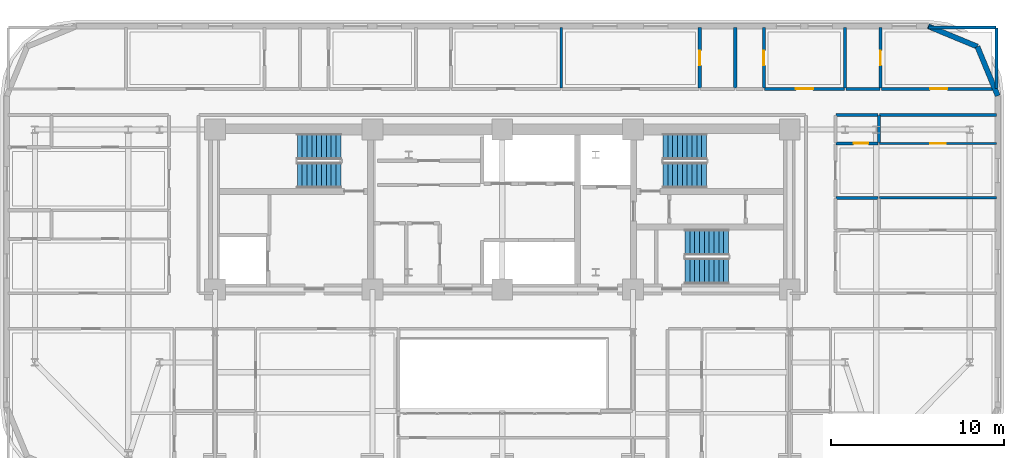
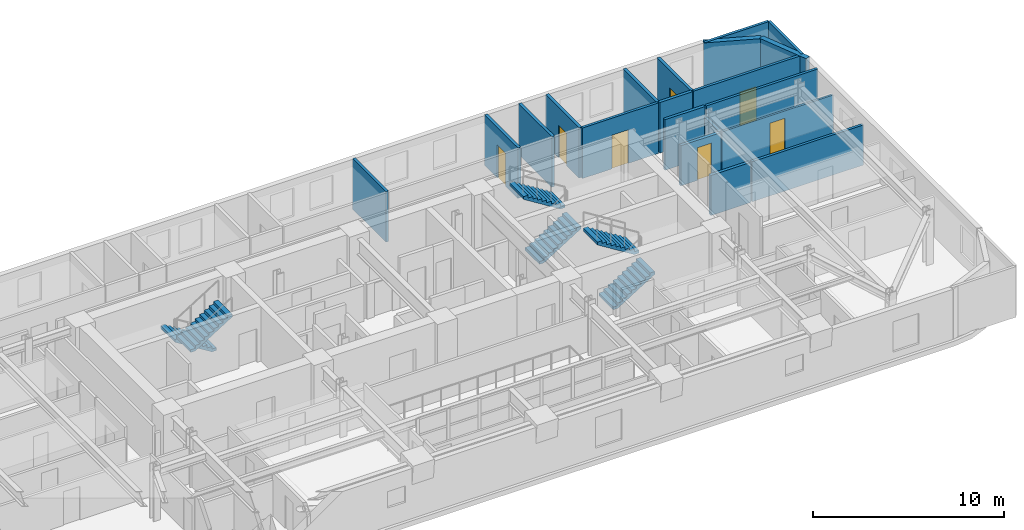
# One storey, part 13 of 16: 20 walls, 7 doors, 6 stair flights, 7 openings, 3 elements without a shape of their own.
"""IFC4 building model written with IfcOpenShell, lengths in metres."""

import ifcopenshell
import ifcopenshell.guid

model = None  # the IFC model being written
_history = None  # IfcOwnerHistory: only IFC2X3 demands one
_inside = {}  # id of a spatial element -> (the spatial element, [elements in it])
_under = {}  # id of a project, library or spatial element -> (it, [spatial elements below it])
_declared = {}  # id of a project -> (the project, [libraries it declares])
_typed = {}  # id of a type object -> (the type object, [elements of that type])
_made_of = {}  # id of a material, layer set ... -> (it, [elements and type objects made of it])


def new_model(schema):
    """Start an empty IFC model of exactly this schema.

    Asked for "IFC4X3", IfcOpenShell would pick the latest addendum, in which some entities
    have other attributes; the version numbers below select the first issue.
    IFC2X3 requires an IfcOwnerHistory on every rooted entity: one is made here for all.
    """
    global model, _history
    if schema == "IFC4X3":
        model = ifcopenshell.file(schema_version=(4, 3, 0, 0))
    else:
        model = ifcopenshell.file(schema=schema)
    _inside.clear()
    _under.clear()
    _declared.clear()
    _typed.clear()
    _made_of.clear()
    _history = None
    if model.schema == "IFC2X3":
        org = make("IfcOrganization", Name="unknown")
        user = make(
            "IfcPersonAndOrganization",
            ThePerson=make("IfcPerson", FamilyName="unknown"),
            TheOrganization=org,
        )
        app = make(
            "IfcApplication",
            ApplicationDeveloper=org,
            Version="unknown",
            ApplicationFullName="unknown",
            ApplicationIdentifier="unknown",
        )
        _history = make(
            "IfcOwnerHistory",
            OwningUser=user,
            OwningApplication=app,
            ChangeAction="ADDED",
            CreationDate=0,
        )
    return model


def make(cls, **values):
    """One entity of the class cls with the attributes given. An attribute that is None is left unset."""
    return model.create_entity(
        cls, **{name: value for name, value in values.items() if value is not None}
    )


def rooted(cls, **values):
    """An entity with a GlobalId (a new one), such as an element, a storey or a relation."""
    return make(cls, GlobalId=ifcopenshell.guid.new(), OwnerHistory=_history, **values)


def si_unit(unit_type, name, prefix=None):
    """IfcSIUnit, for example si_unit("LENGTHUNIT", "METRE", prefix="MILLI")."""
    return make("IfcSIUnit", UnitType=unit_type, Prefix=prefix, Name=name)


def assignment(units):
    """IfcUnitAssignment: the units of a project."""
    return None if units is None else make("IfcUnitAssignment", Units=units)


def point(xyz):
    """IfcCartesianPoint."""
    return None if xyz is None else make("IfcCartesianPoint", Coordinates=xyz)


def direction(xyz):
    """IfcDirection."""
    return None if xyz is None else make("IfcDirection", DirectionRatios=xyz)


def frame(location, z_axis=None, x_axis=None):
    """IfcAxis2Placement3D, a coordinate frame: its origin and axes. An axis left out is left unset."""
    return make(
        "IfcAxis2Placement3D",
        Location=point(location),
        Axis=direction(z_axis),
        RefDirection=direction(x_axis),
    )


def frame_2d(location, x_axis=None):
    """IfcAxis2Placement2D, a coordinate frame in the plane: its origin and x axis."""
    return make(
        "IfcAxis2Placement2D", Location=point(location), RefDirection=direction(x_axis)
    )


def origin():
    """The frame at (0, 0, 0) with its axes left unset."""
    return frame((0.0, 0.0, 0.0))


def place(relative_to, where):
    """IfcLocalPlacement: puts the frame where relative to a parent placement (None: the world)."""
    return make(
        "IfcLocalPlacement", PlacementRelTo=relative_to, RelativePlacement=where
    )


def context(
    kind, dimensions, precision=None, world=None, true_north=None, identifier=None
):
    """IfcGeometricRepresentationContext, for example the 3D "Model" context."""
    return make(
        "IfcGeometricRepresentationContext",
        ContextIdentifier=identifier,
        ContextType=kind,
        CoordinateSpaceDimension=dimensions,
        Precision=precision,
        WorldCoordinateSystem=world,
        TrueNorth=true_north,
    )


def subcontext(parent, identifier, kind, view, scale=None):
    """IfcGeometricRepresentationSubContext, for example "Body" below "Model"."""
    return make(
        "IfcGeometricRepresentationSubContext",
        ContextIdentifier=identifier,
        ContextType=kind,
        ParentContext=parent,
        TargetScale=scale,
        TargetView=view,
    )


def project(units=None, contexts=None):
    """IfcProject with its units and contexts."""
    return rooted(
        "IfcProject",
        Name="project",
        RepresentationContexts=contexts,
        UnitsInContext=assignment(units),
    )


def spatial(cls, under=None, at=None, **own):
    """A site, building, storey or space (cls), placed at a placement, below another one or the project."""
    s = rooted(cls, ObjectPlacement=at, **own)
    if under is not None:
        _under.setdefault(under.id(), (under, []))[1].append(s)
    return s


def polyline(points):
    """IfcPolyline through the points."""
    return make("IfcPolyline", Points=[point(p) for p in points])


def profile(cls, at=None, kind="AREA", **sizes):
    """A parametric profile (cls). Its sizes go by their IFC names, for example OverallWidth=200.0."""
    return make(cls, ProfileType=kind, Position=at, **sizes)


def rectangle(**sizes):
    """IfcRectangleProfileDef."""
    return profile("IfcRectangleProfileDef", **sizes)


def outline(outer, holes=None, kind="AREA"):
    """IfcArbitraryClosedProfileDef: a profile drawn as a closed curve; with holes, ...WithVoids."""
    if holes is None:
        return make("IfcArbitraryClosedProfileDef", ProfileType=kind, OuterCurve=outer)
    return make(
        "IfcArbitraryProfileDefWithVoids",
        ProfileType=kind,
        OuterCurve=outer,
        InnerCurves=holes,
    )


def extrude(swept, where, along, depth):
    """IfcExtrudedAreaSolid: the profile swept, set in the frame where, extruded along a direction by depth."""
    return make(
        "IfcExtrudedAreaSolid",
        SweptArea=swept,
        Position=where,
        ExtrudedDirection=direction(along),
        Depth=depth,
    )


def shape(context_of_items, identifier, shape_type, items):
    """IfcShapeRepresentation: the items that make up one representation, for example the "Body"."""
    return make(
        "IfcShapeRepresentation",
        ContextOfItems=context_of_items,
        RepresentationIdentifier=identifier,
        RepresentationType=shape_type,
        Items=items,
    )


def material(Name=None, Category=None):
    """IfcMaterial."""
    return make("IfcMaterial", Name=Name, Category=Category)


def layer(
    of_material, thickness, ventilated=None, Name=None, Category=None, Priority=None
):
    """IfcMaterialLayer: one layer of a wall or slab, of a material (None: an air gap)."""
    return make(
        "IfcMaterialLayer",
        Material=of_material,
        LayerThickness=thickness,
        IsVentilated=ventilated,
        Name=Name,
        Category=Category,
        Priority=Priority,
    )


def layer_set(layers, Name=None):
    """IfcMaterialLayerSet."""
    return make("IfcMaterialLayerSet", MaterialLayers=layers, LayerSetName=Name)


def made_of(thing, what):
    """Note that an element or type object is made of a material, layer set ...; save() writes the relation."""
    if what is not None:
        _made_of.setdefault(what.id(), (what, []))[1].append(thing)
    return thing


def type_object(cls, material=None, **own):
    """A type object (cls), such as IfcWallType, which elements share."""
    return made_of(rooted(cls, **own), material)


def element(
    cls,
    number,
    at=None,
    inside=None,
    cuts=None,
    type_object=None,
    material=None,
    context=None,
    identifier="Body",
    shape_type=None,
    held_by="IfcProductDefinitionShape",
    body=None,
    shapes=None,
    **own,
):
    """One element of the class cls, such as IfcWall. Its Tag is "e" and its number.

    at: its placement. inside: the storey or other place that contains it. cuts: it is an
    opening in that element (IfcRelVoidsElement). A single representation is given by context,
    identifier, shape_type and body (its items); several are given by shapes. held_by: the class
    of the entity that holds the representations. save() writes the other relations.
    """
    e = rooted(cls, Tag="e%d" % number, ObjectPlacement=at, **own)
    if body is not None:
        shapes = [shape(context, identifier, shape_type, body)]
    if shapes is not None:
        e.Representation = make(held_by, Representations=shapes)
    if inside is not None:
        _inside.setdefault(inside.id(), (inside, []))[1].append(e)
    if cuts is not None:
        rooted(
            "IfcRelVoidsElement", RelatingBuildingElement=cuts, RelatedOpeningElement=e
        )
    if type_object is not None:
        _typed.setdefault(type_object.id(), (type_object, []))[1].append(e)
    return made_of(e, material)


def fill(opening, filler):
    """IfcRelFillsElement: the door or window that sits in an opening."""
    return rooted(
        "IfcRelFillsElement",
        RelatingOpeningElement=opening,
        RelatedBuildingElement=filler,
    )


def aggregate(whole, parts):
    """IfcRelAggregates: a whole, such as a stair, and the parts it consists of."""
    return rooted("IfcRelAggregates", RelatingObject=whole, RelatedObjects=parts)


def save(model, path):
    """Write the relations noted so far, then the file.

    IfcRelAggregates (storeys below a building ...), IfcRelContainedInSpatialStructure (elements
    in a storey), IfcRelDefinesByType, IfcRelAssociatesMaterial and IfcRelDeclares: one each for
    every whole, place, type object, material and project.
    """
    for whole, parts in _under.values():
        aggregate(whole, parts)
    for where, things in _inside.values():
        rooted(
            "IfcRelContainedInSpatialStructure",
            RelatedElements=things,
            RelatingStructure=where,
        )
    for kind, things in _typed.values():
        rooted("IfcRelDefinesByType", RelatedObjects=things, RelatingType=kind)
    for what, things in _made_of.values():
        rooted("IfcRelAssociatesMaterial", RelatedObjects=things, RelatingMaterial=what)
    for by, libraries in _declared.values():
        rooted("IfcRelDeclares", RelatingContext=by, RelatedDefinitions=libraries)
    model.write(path)


model = new_model("IFC4")

# Units and contexts
model_context = context("Model", 3, precision=1e-05, world=origin(), true_north=direction((0.0, 1.0)))
body_context = subcontext(model_context, "Body", "Model", "MODEL_VIEW")
ifc_project = project(units=[si_unit("LENGTHUNIT", "METRE"), si_unit("AREAUNIT", "SQUARE_METRE"), si_unit("VOLUMEUNIT", "CUBIC_METRE"), si_unit("PLANEANGLEUNIT", "RADIAN"), si_unit("MASSUNIT", "GRAM", prefix="KILO")], contexts=[model_context])

# Site, building, storey
site_placement = place(None, origin())
site = spatial("IfcSite", under=ifc_project, at=site_placement, CompositionType="ELEMENT")
building_placement = place(site_placement, origin())
building = spatial("IfcBuilding", under=site, at=building_placement, Name="Zarnavel Station Tower", CompositionType="ELEMENT")
storey_placement = place(building_placement, frame((0.0, 0.0, 94.300048828125)))
storey = spatial("IfcBuildingStorey", under=building, at=storey_placement, Name="L25", CompositionType="ELEMENT", Elevation=94.300048828125)

# Walls
ifc_material_1 = material(Name="Precast concrete C45/55 (Dark Basalt Finish)", Category="masonry")
ifc_layer_1 = layer(ifc_material_1, 0.300048828125)
ifc_layer_set_1 = layer_set([ifc_layer_1], Name="EW_BASALT_300")
wall_type_1 = type_object("IfcWallType", Name="EW_BASALT_300", PredefinedType="SOLIDWALL", material=ifc_layer_set_1)
wall_1_placement = place(storey_placement, frame((56.24267578125, 41.842529296875, 0.0), z_axis=(0.0, 0.0, 1.0), x_axis=(0.382636798336, -0.92389884758, 0.0)))
element("IfcWall", 1, at=wall_1_placement, inside=storey, type_object=wall_type_1, Name="L25 Exterior Basalt Masonry Frame Wall 04", PredefinedType="SOLIDWALL", context=body_context, shape_type="SweptSolid", body=[
    extrude(rectangle(XDim=3.07666015625, YDim=0.300048828125, at=frame_2d((1.538330078125, 0.0))), origin(), (0.0, 0.0, 1.0), 3.239990234375),
])
wall_2_placement = place(storey_placement, frame((53.39990234375, 43.02001953125, 0.0), z_axis=(0.0, 0.0, 1.0), x_axis=(0.923882414032, -0.382676475685, 0.0)))
element("IfcWall", 2, at=wall_2_placement, inside=storey, type_object=wall_type_1, Name="L25 Exterior Basalt Masonry Frame Wall 05", PredefinedType="SOLIDWALL", context=body_context, shape_type="SweptSolid", body=[
    extrude(rectangle(XDim=3.076904296875, YDim=0.300048828125, at=frame_2d((1.53857421875, 0.0))), origin(), (0.0, 0.0, 1.0), 3.239990234375),
])
ifc_material_2 = material(Name="Gypsum Twin-Stud Acoustic Fire Partition", Category="concrete")
ifc_layer_2 = layer(ifc_material_2, 0.159912109375)
ifc_layer_set_2 = layer_set([ifc_layer_2], Name="PT_DEMISE_160")
wall_type_2 = type_object("IfcWallType", Name="PT_DEMISE_160", PredefinedType="PARTITIONING", material=ifc_layer_set_2)
wall_3_placement = place(storey_placement, frame((50.590087890625, 37.89990234375, 0.0), z_axis=(0.0, 0.0, 1.0), x_axis=(1.0, 0.0, 0.0)))
element("IfcWall", 3, at=wall_3_placement, inside=storey, type_object=wall_type_2, Name="L25 Partition COR-N-FNE2S", PredefinedType="PARTITIONING", context=body_context, shape_type="SweptSolid", body=[
    extrude(rectangle(XDim=6.75, YDim=0.159912109375, at=frame_2d((3.375, 0.0))), origin(), (0.0, 0.0, 1.0), 3.239990234375),
])

# Wall, opening, door
wall_4_placement = place(storey_placement, frame((43.946044921875, 39.39990234375, 0.0), z_axis=(0.0, 0.0, 1.0), x_axis=(1.0, 0.0, 0.0)))
wall_4 = element("IfcWall", 4, at=wall_4_placement, inside=storey, type_object=wall_type_2, Name="L25 Partition COR-N-HN5R", PredefinedType="PARTITIONING", context=body_context, shape_type="SweptSolid", body=[
    extrude(rectangle(XDim=4.614013671875, YDim=0.159912109375, at=frame_2d((2.30712890625, 0.0))), origin(), (0.0, 0.0, 1.0), 3.239990234375),
])
opening_1_placement = place(wall_4_placement, frame((1.806884765625, 0.0, 0.0)))
opening_1 = element("IfcOpeningElement", 5, at=opening_1_placement, cuts=wall_4, Name="Opening FD02", PredefinedType="OPENING", context=body_context, shape_type="SweptSolid", body=[
    extrude(rectangle(XDim=1.0, YDim=2.14990234375, at=frame_2d((0.5, 1.074951171875))), frame((0.0, 0.08984375, 0.0), z_axis=(0.0, -1.0, 0.0), x_axis=(1.0, 0.0, 0.0)), (0.0, 0.0, 1.0), 0.179931640625),
])
ifc_material_3 = material(Name="Painted Galvanised Steel and Hardwood Leaf", Category="steel")
door_type_1 = type_object("IfcDoorType", Name="ID_ENTRY_1000", OperationType="NOTDEFINED", PredefinedType="DOOR", material=ifc_material_3)
door_1_placement = place(opening_1_placement, origin())
door_1 = element("IfcDoor", 6, at=door_1_placement, inside=storey, type_object=door_type_1, Name="L25 Door COR-N-HN5R", OperationType="SINGLE_SWING_RIGHT", OverallHeight=2.14990234375, OverallWidth=1.0, PredefinedType="DOOR", context=body_context, shape_type="SweptSolid", body=[
    extrude(rectangle(XDim=1.0, YDim=2.14990234375, at=frame_2d((0.5, 1.074951171875))), frame((0.0, 0.02490234375, 0.0), z_axis=(0.0, -1.0, 0.0), x_axis=(1.0, 0.0, 0.0)), (0.0, 0.0, 1.0), 0.050048828125),
])
fill(opening_1, door_1)

wall_5_placement = place(storey_placement, frame((50.68994140625, 39.39990234375, 0.0), z_axis=(0.0, 0.0, 1.0), x_axis=(1.0, 0.0, 0.0)))
wall_5 = element("IfcWall", 7, at=wall_5_placement, inside=storey, type_object=wall_type_2, Name="L25 Partition COR-N-HN6R", PredefinedType="PARTITIONING", context=body_context, shape_type="SweptSolid", body=[
    extrude(rectangle(XDim=6.650146484375, YDim=0.159912109375, at=frame_2d((3.3251953125, 0.0))), origin(), (0.0, 0.0, 1.0), 3.239990234375),
])
opening_2_placement = place(wall_5_placement, frame((2.824951171875, 0.0, 0.0)))
opening_2 = element("IfcOpeningElement", 8, at=opening_2_placement, cuts=wall_5, Name="Opening FD02", PredefinedType="OPENING", context=body_context, shape_type="SweptSolid", body=[
    extrude(rectangle(XDim=1.0, YDim=2.14990234375, at=frame_2d((0.5, 1.074951171875))), frame((0.0, 0.08984375, 0.0), z_axis=(0.0, -1.0, 0.0), x_axis=(1.0, 0.0, 0.0)), (0.0, 0.0, 1.0), 0.179931640625),
])
door_2_placement = place(opening_2_placement, origin())
door_2 = element("IfcDoor", 9, at=door_2_placement, inside=storey, type_object=door_type_1, Name="L25 Door COR-N-HN6R", OperationType="SINGLE_SWING_LEFT", OverallHeight=2.14990234375, OverallWidth=1.0, PredefinedType="DOOR", context=body_context, shape_type="SweptSolid", body=[
    extrude(rectangle(XDim=1.0, YDim=2.14990234375, at=frame_2d((0.5, 1.074951171875))), frame((0.0, 0.02490234375, 0.0), z_axis=(0.0, -1.0, 0.0), x_axis=(1.0, 0.0, 0.0)), (0.0, 0.0, 1.0), 0.050048828125),
])
fill(opening_2, door_2)

# Walls
wall_6_placement = place(storey_placement, frame((50.590087890625, 33.10888671875, 0.0), z_axis=(0.0, 0.0, 1.0), x_axis=(1.0, 0.0, 0.0)))
element("IfcWall", 10, at=wall_6_placement, inside=storey, type_object=wall_type_2, Name="L25 Partition FNE1S-FNE2R", PredefinedType="PARTITIONING", context=body_context, shape_type="SweptSolid", body=[
    extrude(rectangle(XDim=6.75, YDim=0.159912109375, at=frame_2d((3.375, 0.0))), origin(), (0.0, 0.0, 1.0), 2.570068359375),
])
wall_7_placement = place(storey_placement, frame((32.199951171875, 39.43994140625, 0.0), z_axis=(0.0, 0.0, 1.0), x_axis=(0.0, 1.0, 0.0)))
element("IfcWall", 11, at=wall_7_placement, inside=storey, type_object=wall_type_2, Name="L25 Partition HN3R-HN4R", PredefinedType="PARTITIONING", context=body_context, shape_type="SweptSolid", body=[
    extrude(rectangle(XDim=3.5, YDim=0.159912109375, at=frame_2d((1.75, 0.0))), origin(), (0.0, 0.0, 1.0), 3.239990234375),
])
wall_8_placement = place(storey_placement, frame((53.429931640625, 42.93994140625, 0.0), z_axis=(0.0, 0.0, 1.0), x_axis=(1.0, 0.0, 0.0)))
element("IfcWall", 12, at=wall_8_placement, inside=storey, type_object=wall_type_2, Name="L25 Enclosure Wall HN6R", PredefinedType="PARTITIONING", context=body_context, shape_type="SweptSolid", body=[
    extrude(rectangle(XDim=3.880126953125, YDim=0.159912109375, at=frame_2d((1.93994140625, 0.0))), origin(), (0.0, 0.0, 1.0), 3.239990234375),
])
wall_9_placement = place(storey_placement, frame((57.340087890625, 39.429931640625, 0.0), z_axis=(0.0, 0.0, 1.0), x_axis=(0.0, 1.0, 0.0)))
element("IfcWall", 13, at=wall_9_placement, inside=storey, type_object=wall_type_2, Name="L25 Enclosure Wall HN6R", PredefinedType="PARTITIONING", context=body_context, shape_type="SweptSolid", body=[
    extrude(rectangle(XDim=3.47998046875, YDim=0.159912109375, at=frame_2d((1.739990234375, 0.0))), origin(), (0.0, 0.0, 1.0), 3.239990234375),
])

# Wall, opening, door
ifc_material_4 = material(Name="Gypsum Metal-Stud Interior Partition", Category="concrete")
ifc_layer_3 = layer(ifc_material_4, 0.1201171875)
ifc_layer_set_3 = layer_set([ifc_layer_3], Name="PT_ROOM_120")
wall_type_3 = type_object("IfcWallType", Name="PT_ROOM_120", PredefinedType="PARTITIONING", material=ifc_layer_set_3)
wall_10_placement = place(storey_placement, frame((50.590087890625, 36.25, 0.0), z_axis=(0.0, 0.0, 1.0), x_axis=(1.0, 0.0, 0.0)))
wall_10 = element("IfcWall", 14, at=wall_10_placement, inside=storey, type_object=wall_type_3, Name="L25 Partition FNE2R-FNE2S", PredefinedType="PARTITIONING", context=body_context, shape_type="SweptSolid", body=[
    extrude(rectangle(XDim=6.75, YDim=0.1201171875, at=frame_2d((3.375, 0.0))), origin(), (0.0, 0.0, 1.0), 2.570068359375),
])
opening_3_placement = place(wall_10_placement, frame((2.925048828125, 0.0, 0.0)))
opening_3 = element("IfcOpeningElement", 15, at=opening_3_placement, cuts=wall_10, Name="Opening ID01", PredefinedType="OPENING", context=body_context, shape_type="SweptSolid", body=[
    extrude(rectangle(XDim=0.89990234375, YDim=2.10009765625, at=frame_2d((0.449951171875, 1.050048828125))), frame((0.0, 0.070068359375, 0.0), z_axis=(0.0, -1.0, 0.0), x_axis=(1.0, 0.0, 0.0)), (0.0, 0.0, 1.0), 0.14013671875),
])
ifc_material_5 = material(Name="Painted Galvanised Steel and Hardwood Leaf", Category="steel")
door_type_2 = type_object("IfcDoorType", Name="ID_ROOM_900", OperationType="NOTDEFINED", PredefinedType="DOOR", material=ifc_material_5)
door_3_placement = place(opening_3_placement, origin())
door_3 = element("IfcDoor", 16, at=door_3_placement, inside=storey, type_object=door_type_2, Name="L25 Door FNE2R-FNE2S", OperationType="SINGLE_SWING_LEFT", OverallHeight=2.10009765625, OverallWidth=0.89990234375, PredefinedType="DOOR", context=body_context, shape_type="SweptSolid", body=[
    extrude(rectangle(XDim=0.89990234375, YDim=2.10009765625, at=frame_2d((0.449951171875, 1.050048828125))), frame((0.0, 0.02490234375, 0.0), z_axis=(0.0, -1.0, 0.0), x_axis=(1.0, 0.0, 0.0)), (0.0, 0.0, 1.0), 0.050048828125),
])
fill(opening_3, door_3)

# Walls
ifc_material_6 = material(Name="Moisture-Resistant Plumbing Chase Wall", Category="concrete")
ifc_layer_4 = layer(ifc_material_6, 0.179931640625)
ifc_layer_set_4 = layer_set([ifc_layer_4], Name="PW_PLUMB_180")
wall_type_4 = type_object("IfcWallType", Name="PW_PLUMB_180", PredefinedType="PLUMBINGWALL", material=ifc_layer_set_4)
wall_11_placement = place(storey_placement, frame((48.090087890625, 37.89990234375, 0.0), z_axis=(0.0, 0.0, 1.0), x_axis=(1.0, 0.0, 0.0)))
element("IfcWall", 17, at=wall_11_placement, inside=storey, type_object=wall_type_4, Name="L25 Partition COR-N-FNE2B", PredefinedType="PLUMBINGWALL", context=body_context, shape_type="SweptSolid", body=[
    extrude(rectangle(XDim=2.419921875, YDim=0.179931640625, at=frame_2d((1.2099609375, 0.0))), origin(), (0.0, 0.0, 1.0), 3.239990234375),
])
wall_12_placement = place(storey_placement, frame((48.639892578125, 39.39990234375, 0.0), z_axis=(0.0, 0.0, 1.0), x_axis=(1.0, 0.0, 0.0)))
element("IfcWall", 18, at=wall_12_placement, inside=storey, type_object=wall_type_4, Name="L25 Partition COR-N-HN6B", PredefinedType="PLUMBINGWALL", context=body_context, shape_type="SweptSolid", body=[
    extrude(rectangle(XDim=1.97021484375, YDim=0.179931640625, at=frame_2d((0.985107421875, 0.0))), origin(), (0.0, 0.0, 1.0), 3.239990234375),
])
wall_13_placement = place(storey_placement, frame((48.090087890625, 33.10888671875, 0.0), z_axis=(0.0, 0.0, 1.0), x_axis=(1.0, 0.0, 0.0)))
element("IfcWall", 19, at=wall_13_placement, inside=storey, type_object=wall_type_4, Name="L25 Partition FNE1B-FNE2R", PredefinedType="PLUMBINGWALL", context=body_context, shape_type="SweptSolid", body=[
    extrude(rectangle(XDim=2.419921875, YDim=0.179931640625, at=frame_2d((1.2099609375, 0.0))), origin(), (0.0, 0.0, 1.0), 2.570068359375),
])

# Wall, opening, door
wall_14_placement = place(storey_placement, frame((50.510009765625, 36.25, 0.0), z_axis=(0.0, 0.0, 1.0), x_axis=(-1.0, 0.0, 0.0)))
wall_14 = element("IfcWall", 20, at=wall_14_placement, inside=storey, type_object=wall_type_4, Name="L25 Partition FNE2R-FNE2B", PredefinedType="PLUMBINGWALL", context=body_context, shape_type="SweptSolid", body=[
    extrude(rectangle(XDim=2.419921875, YDim=0.179931640625, at=frame_2d((1.2099609375, 0.0))), origin(), (0.0, 0.0, 1.0), 2.570068359375),
])
opening_4_placement = place(wall_14_placement, frame((0.570068359375, 0.0, 0.0)))
opening_4 = element("IfcOpeningElement", 21, at=opening_4_placement, cuts=wall_14, Name="Opening ID02", PredefinedType="OPENING", context=body_context, shape_type="SweptSolid", body=[
    extrude(rectangle(XDim=0.85009765625, YDim=2.10009765625, at=frame_2d((0.425048828125, 1.050048828125))), frame((0.0, 0.099853515625, 0.0), z_axis=(0.0, -1.0, 0.0), x_axis=(1.0, 0.0, 0.0)), (0.0, 0.0, 1.0), 0.199951171875),
])
ifc_material_7 = material(Name="Painted Galvanised Steel and Hardwood Leaf", Category="steel")
door_type_3 = type_object("IfcDoorType", Name="ID_BATH_850", OperationType="NOTDEFINED", PredefinedType="DOOR", material=ifc_material_7)
door_4_placement = place(opening_4_placement, origin())
door_4 = element("IfcDoor", 22, at=door_4_placement, inside=storey, type_object=door_type_3, Name="L25 Door FNE2R-FNE2B", OperationType="SINGLE_SWING_RIGHT", OverallHeight=2.10009765625, OverallWidth=0.85009765625, PredefinedType="DOOR", context=body_context, shape_type="SweptSolid", body=[
    extrude(rectangle(XDim=0.85009765625, YDim=2.10009765625, at=frame_2d((0.425048828125, 1.050048828125))), frame((0.0, 0.02490234375, 0.0), z_axis=(0.0, -1.0, 0.0), x_axis=(1.0, 0.0, 0.0)), (0.0, 0.0, 1.0), 0.050048828125),
])
fill(opening_4, door_4)

# Wall
wall_15_placement = place(storey_placement, frame((50.550048828125, 36.2900390625, 0.0), z_axis=(0.0, 0.0, 1.0), x_axis=(0.0, 1.0, 0.0)))
element("IfcWall", 23, at=wall_15_placement, inside=storey, type_object=wall_type_4, Name="L25 Partition FNE2B-FNE2S", PredefinedType="PLUMBINGWALL", context=body_context, shape_type="SweptSolid", body=[
    extrude(rectangle(XDim=1.570068359375, YDim=0.179931640625, at=frame_2d((0.78515625, 0.0))), origin(), (0.0, 0.0, 1.0), 2.570068359375),
])

# Wall, opening, door
wall_16_placement = place(storey_placement, frame((40.2060546875, 39.43994140625, 0.0), z_axis=(0.0, 0.0, 1.0), x_axis=(0.0, 1.0, 0.0)))
wall_16 = element("IfcWall", 24, at=wall_16_placement, inside=storey, type_object=wall_type_4, Name="L25 Partition HN4R-HN4B", PredefinedType="PLUMBINGWALL", context=body_context, shape_type="SweptSolid", body=[
    extrude(rectangle(XDim=3.5, YDim=0.179931640625, at=frame_2d((1.75, 0.0))), origin(), (0.0, 0.0, 1.0), 3.239990234375),
])
opening_5_placement = place(wall_16_placement, frame((1.324951171875, 0.0, 0.0)))
opening_5 = element("IfcOpeningElement", 25, at=opening_5_placement, cuts=wall_16, Name="Opening ID02", PredefinedType="OPENING", context=body_context, shape_type="SweptSolid", body=[
    extrude(rectangle(XDim=0.85009765625, YDim=2.10009765625, at=frame_2d((0.425048828125, 1.050048828125))), frame((0.0, 0.099853515625, 0.0), z_axis=(0.0, -1.0, 0.0), x_axis=(1.0, 0.0, 0.0)), (0.0, 0.0, 1.0), 0.199951171875),
])
door_5_placement = place(opening_5_placement, origin())
door_5 = element("IfcDoor", 26, at=door_5_placement, inside=storey, type_object=door_type_3, Name="L25 Door HN4R-HN4B", OperationType="SINGLE_SWING_LEFT", OverallHeight=2.10009765625, OverallWidth=0.85009765625, PredefinedType="DOOR", context=body_context, shape_type="SweptSolid", body=[
    extrude(rectangle(XDim=0.85009765625, YDim=2.10009765625, at=frame_2d((0.425048828125, 1.050048828125))), frame((0.0, 0.02490234375, 0.0), z_axis=(0.0, -1.0, 0.0), x_axis=(1.0, 0.0, 0.0)), (0.0, 0.0, 1.0), 0.050048828125),
])
fill(opening_5, door_5)

# Wall
wall_17_placement = place(storey_placement, frame((42.256103515625, 39.43994140625, 0.0), z_axis=(0.0, 0.0, 1.0), x_axis=(0.0, 1.0, 0.0)))
element("IfcWall", 27, at=wall_17_placement, inside=storey, type_object=wall_type_4, Name="L25 Partition HN4B-HN5B", PredefinedType="PLUMBINGWALL", context=body_context, shape_type="SweptSolid", body=[
    extrude(rectangle(XDim=3.5, YDim=0.179931640625, at=frame_2d((1.75, 0.0))), origin(), (0.0, 0.0, 1.0), 3.239990234375),
])

# Wall, opening, door
wall_18_placement = place(storey_placement, frame((43.906005859375, 39.43994140625, 0.0), z_axis=(0.0, 0.0, 1.0), x_axis=(0.0, 1.0, 0.0)))
wall_18 = element("IfcWall", 28, at=wall_18_placement, inside=storey, type_object=wall_type_4, Name="L25 Partition HN5R-HN5B", PredefinedType="PLUMBINGWALL", context=body_context, shape_type="SweptSolid", body=[
    extrude(rectangle(XDim=3.5, YDim=0.179931640625, at=frame_2d((1.75, 0.0))), origin(), (0.0, 0.0, 1.0), 3.239990234375),
])
opening_6_placement = place(wall_18_placement, frame((1.324951171875, 0.0, 0.0)))
opening_6 = element("IfcOpeningElement", 29, at=opening_6_placement, cuts=wall_18, Name="Opening ID02", PredefinedType="OPENING", context=body_context, shape_type="SweptSolid", body=[
    extrude(rectangle(XDim=0.85009765625, YDim=2.10009765625, at=frame_2d((0.425048828125, 1.050048828125))), frame((0.0, 0.099853515625, 0.0), z_axis=(0.0, -1.0, 0.0), x_axis=(1.0, 0.0, 0.0)), (0.0, 0.0, 1.0), 0.199951171875),
])
door_6_placement = place(opening_6_placement, origin())
door_6 = element("IfcDoor", 30, at=door_6_placement, inside=storey, type_object=door_type_3, Name="L25 Door HN5R-HN5B", OperationType="SINGLE_SWING_RIGHT", OverallHeight=2.10009765625, OverallWidth=0.85009765625, PredefinedType="DOOR", context=body_context, shape_type="SweptSolid", body=[
    extrude(rectangle(XDim=0.85009765625, YDim=2.10009765625, at=frame_2d((0.425048828125, 1.050048828125))), frame((0.0, 0.02490234375, 0.0), z_axis=(0.0, -1.0, 0.0), x_axis=(1.0, 0.0, 0.0)), (0.0, 0.0, 1.0), 0.050048828125),
])
fill(opening_6, door_6)

# Wall
wall_19_placement = place(storey_placement, frame((48.60009765625, 39.43994140625, 0.0), z_axis=(0.0, 0.0, 1.0), x_axis=(0.0, 1.0, 0.0)))
element("IfcWall", 31, at=wall_19_placement, inside=storey, type_object=wall_type_4, Name="L25 Partition HN5R-HN6B", PredefinedType="PLUMBINGWALL", context=body_context, shape_type="SweptSolid", body=[
    extrude(rectangle(XDim=3.5, YDim=0.179931640625, at=frame_2d((1.75, 0.0))), origin(), (0.0, 0.0, 1.0), 3.239990234375),
])

# Wall, opening, door
wall_20_placement = place(storey_placement, frame((50.64990234375, 39.43994140625, 0.0), z_axis=(0.0, 0.0, 1.0), x_axis=(0.0, 1.0, 0.0)))
wall_20 = element("IfcWall", 32, at=wall_20_placement, inside=storey, type_object=wall_type_4, Name="L25 Partition HN6R-HN6B", PredefinedType="PLUMBINGWALL", context=body_context, shape_type="SweptSolid", body=[
    extrude(rectangle(XDim=3.5, YDim=0.179931640625, at=frame_2d((1.75, 0.0))), origin(), (0.0, 0.0, 1.0), 3.239990234375),
])
opening_7_placement = place(wall_20_placement, frame((1.324951171875, 0.0, 0.0)))
opening_7 = element("IfcOpeningElement", 33, at=opening_7_placement, cuts=wall_20, Name="Opening ID02", PredefinedType="OPENING", context=body_context, shape_type="SweptSolid", body=[
    extrude(rectangle(XDim=0.85009765625, YDim=2.10009765625, at=frame_2d((0.425048828125, 1.050048828125))), frame((0.0, 0.099853515625, 0.0), z_axis=(0.0, -1.0, 0.0), x_axis=(1.0, 0.0, 0.0)), (0.0, 0.0, 1.0), 0.199951171875),
])
door_7_placement = place(opening_7_placement, origin())
door_7 = element("IfcDoor", 34, at=door_7_placement, inside=storey, type_object=door_type_3, Name="L25 Door HN6R-HN6B", OperationType="SINGLE_SWING_LEFT", OverallHeight=2.10009765625, OverallWidth=0.85009765625, PredefinedType="DOOR", context=body_context, shape_type="SweptSolid", body=[
    extrude(rectangle(XDim=0.85009765625, YDim=2.10009765625, at=frame_2d((0.425048828125, 1.050048828125))), frame((0.0, 0.02490234375, 0.0), z_axis=(0.0, -1.0, 0.0), x_axis=(1.0, 0.0, 0.0)), (0.0, 0.0, 1.0), 0.050048828125),
])
fill(opening_7, door_7)

# Stair, stair flights
ifc_material_8 = material(Name="Concrete C45/55", Category="concrete")
stair_type = type_object("IfcStairType", Name="ST_CORE_150", PredefinedType="HALF_TURN_STAIR", material=ifc_material_8)
stair_1_placement = place(storey_placement, origin())
stair_1 = element("IfcStair", 35, at=stair_1_placement, inside=storey, type_object=stair_type, Name="L25 Core Exit Stair ST1", PredefinedType="HALF_TURN_STAIR")
ifc_material_9 = material(Name="Concrete C45/55", Category="concrete")
ifc_layer_5 = layer(ifc_material_9, 0.179931640625)
ifc_layer_set_5 = layer_set([ifc_layer_5], Name="ST_CORE_150_FLT")
stair_flight_type = type_object("IfcStairFlightType", Name="ST_CORE_150_FLT", PredefinedType="STRAIGHT", material=ifc_layer_set_5)
stair_flight_1_placement = place(storey_placement, frame((19.47998046875, 36.070068359375, 0.0), z_axis=(0.0, 0.0, 1.0), x_axis=(-1.0, 0.0, 0.0)))
stair_flight_1 = element("IfcStairFlight", 36, at=stair_flight_1_placement, type_object=stair_flight_type, Name="ST1 flight 1", NumberOfRisers=10, NumberOfTreads=9, PredefinedType="STRAIGHT", RiserHeight=0.175, TreadLength=0.28, context=body_context, shape_type="SweptSolid", body=[
    extrude(outline(polyline([(0.0, 0.0), (0.0, 0.175048828125), (0.280029296875, 0.175048828125), (0.280029296875, 0.35009765625), (0.56005859375, 0.35009765625), (0.56005859375, 0.52490234375), (0.840087890625, 0.52490234375), (0.840087890625, 0.699951171875), (1.1201171875, 0.699951171875), (1.1201171875, 0.875), (1.39990234375, 0.875), (1.39990234375, 1.050048828125), (1.679931640625, 1.050048828125), (1.679931640625, 1.22509765625), (1.9599609375, 1.22509765625), (1.9599609375, 1.39990234375), (2.239990234375, 1.39990234375), (2.239990234375, 1.574951171875), (2.52001953125, 1.574951171875), (2.52001953125, 1.75), (2.52001953125, 1.398193359375), (0.28271484375, 0.0), (0.0, 0.0)])), frame((0.0, 0.75, 0.0), z_axis=(0.0, -1.0, 0.0), x_axis=(1.0, 0.0, 0.0)), (0.0, 0.0, 1.0), 1.5),
])
stair_flight_2_placement = place(storey_placement, frame((16.9599609375, 34.409912109375, 1.75), z_axis=(0.0, 0.0, 1.0), x_axis=(1.0, 0.0, 0.0)))
stair_flight_2 = element("IfcStairFlight", 37, at=stair_flight_2_placement, type_object=stair_flight_type, Name="ST1 flight 2", NumberOfRisers=10, NumberOfTreads=9, PredefinedType="STRAIGHT", RiserHeight=0.175, TreadLength=0.28, context=body_context, shape_type="SweptSolid", body=[
    extrude(outline(polyline([(0.0, 0.0), (0.0, 0.175048828125), (0.280029296875, 0.175048828125), (0.280029296875, 0.35009765625), (0.56005859375, 0.35009765625), (0.56005859375, 0.52490234375), (0.840087890625, 0.52490234375), (0.840087890625, 0.699951171875), (1.1201171875, 0.699951171875), (1.1201171875, 0.875), (1.39990234375, 0.875), (1.39990234375, 1.050048828125), (1.679931640625, 1.050048828125), (1.679931640625, 1.22509765625), (1.9599609375, 1.22509765625), (1.9599609375, 1.39990234375), (2.239990234375, 1.39990234375), (2.239990234375, 1.574951171875), (2.52001953125, 1.574951171875), (2.52001953125, 1.75), (2.52001953125, 1.398193359375), (0.28271484375, 0.0), (0.0, 0.0)])), frame((0.0, 0.75, 0.0), z_axis=(0.0, -1.0, 0.0), x_axis=(1.0, 0.0, 0.0)), (0.0, 0.0, 1.0), 1.5),
])
aggregate(stair_1, [stair_flight_1, stair_flight_2])

stair_2_placement = place(storey_placement, origin())
stair_2 = element("IfcStair", 38, at=stair_2_placement, inside=storey, type_object=stair_type, Name="L25 Core Exit Stair ST2", PredefinedType="HALF_TURN_STAIR")
stair_flight_3_placement = place(storey_placement, frame((38.080078125, 34.409912109375, 0.0), z_axis=(0.0, 0.0, 1.0), x_axis=(1.0, 0.0, 0.0)))
stair_flight_3 = element("IfcStairFlight", 39, at=stair_flight_3_placement, type_object=stair_flight_type, Name="ST2 flight 1", NumberOfRisers=10, NumberOfTreads=9, PredefinedType="STRAIGHT", RiserHeight=0.175, TreadLength=0.28, context=body_context, shape_type="SweptSolid", body=[
    extrude(outline(polyline([(0.0, 0.0), (0.0, 0.175048828125), (0.280029296875, 0.175048828125), (0.280029296875, 0.35009765625), (0.56005859375, 0.35009765625), (0.56005859375, 0.52490234375), (0.840087890625, 0.52490234375), (0.840087890625, 0.699951171875), (1.1201171875, 0.699951171875), (1.1201171875, 0.875), (1.39990234375, 0.875), (1.39990234375, 1.050048828125), (1.679931640625, 1.050048828125), (1.679931640625, 1.22509765625), (1.9599609375, 1.22509765625), (1.9599609375, 1.39990234375), (2.239990234375, 1.39990234375), (2.239990234375, 1.574951171875), (2.52001953125, 1.574951171875), (2.52001953125, 1.75), (2.52001953125, 1.398193359375), (0.28271484375, 0.0), (0.0, 0.0)])), frame((0.0, 0.75, 0.0), z_axis=(0.0, -1.0, 0.0), x_axis=(1.0, 0.0, 0.0)), (0.0, 0.0, 1.0), 1.5),
])
stair_flight_4_placement = place(storey_placement, frame((40.60009765625, 36.070068359375, 1.75), z_axis=(0.0, 0.0, 1.0), x_axis=(-1.0, 0.0, 0.0)))
stair_flight_4 = element("IfcStairFlight", 40, at=stair_flight_4_placement, type_object=stair_flight_type, Name="ST2 flight 2", NumberOfRisers=10, NumberOfTreads=9, PredefinedType="STRAIGHT", RiserHeight=0.175, TreadLength=0.28, context=body_context, shape_type="SweptSolid", body=[
    extrude(outline(polyline([(0.0, 0.0), (0.0, 0.175048828125), (0.280029296875, 0.175048828125), (0.280029296875, 0.35009765625), (0.56005859375, 0.35009765625), (0.56005859375, 0.52490234375), (0.840087890625, 0.52490234375), (0.840087890625, 0.699951171875), (1.1201171875, 0.699951171875), (1.1201171875, 0.875), (1.39990234375, 0.875), (1.39990234375, 1.050048828125), (1.679931640625, 1.050048828125), (1.679931640625, 1.22509765625), (1.9599609375, 1.22509765625), (1.9599609375, 1.39990234375), (2.239990234375, 1.39990234375), (2.239990234375, 1.574951171875), (2.52001953125, 1.574951171875), (2.52001953125, 1.75), (2.52001953125, 1.398193359375), (0.28271484375, 0.0), (0.0, 0.0)])), frame((0.0, 0.75, 0.0), z_axis=(0.0, -1.0, 0.0), x_axis=(1.0, 0.0, 0.0)), (0.0, 0.0, 1.0), 1.5),
])
aggregate(stair_2, [stair_flight_3, stair_flight_4])

stair_3_placement = place(storey_placement, origin())
stair_3 = element("IfcStair", 41, at=stair_3_placement, inside=storey, type_object=stair_type, Name="L25 Core Exit Stair ST3", PredefinedType="HALF_TURN_STAIR")
stair_flight_5_placement = place(storey_placement, frame((39.35009765625, 28.8701171875, 0.0), z_axis=(0.0, 0.0, 1.0), x_axis=(1.0, 0.0, 0.0)))
stair_flight_5 = element("IfcStairFlight", 42, at=stair_flight_5_placement, type_object=stair_flight_type, Name="ST3 flight 1", NumberOfRisers=10, NumberOfTreads=9, PredefinedType="STRAIGHT", RiserHeight=0.175, TreadLength=0.28, context=body_context, shape_type="SweptSolid", body=[
    extrude(outline(polyline([(0.0, 0.0), (0.0, 0.175048828125), (0.280029296875, 0.175048828125), (0.280029296875, 0.35009765625), (0.56005859375, 0.35009765625), (0.56005859375, 0.52490234375), (0.840087890625, 0.52490234375), (0.840087890625, 0.699951171875), (1.1201171875, 0.699951171875), (1.1201171875, 0.875), (1.39990234375, 0.875), (1.39990234375, 1.050048828125), (1.679931640625, 1.050048828125), (1.679931640625, 1.22509765625), (1.9599609375, 1.22509765625), (1.9599609375, 1.39990234375), (2.239990234375, 1.39990234375), (2.239990234375, 1.574951171875), (2.52001953125, 1.574951171875), (2.52001953125, 1.75), (2.52001953125, 1.398193359375), (0.28271484375, 0.0), (0.0, 0.0)])), frame((0.0, 0.75, 0.0), z_axis=(0.0, -1.0, 0.0), x_axis=(1.0, 0.0, 0.0)), (0.0, 0.0, 1.0), 1.5),
])
stair_flight_6_placement = place(storey_placement, frame((41.8701171875, 30.530029296875, 1.75), z_axis=(0.0, 0.0, 1.0), x_axis=(-1.0, 0.0, 0.0)))
stair_flight_6 = element("IfcStairFlight", 43, at=stair_flight_6_placement, type_object=stair_flight_type, Name="ST3 flight 2", NumberOfRisers=10, NumberOfTreads=9, PredefinedType="STRAIGHT", RiserHeight=0.175, TreadLength=0.28, context=body_context, shape_type="SweptSolid", body=[
    extrude(outline(polyline([(0.0, 0.0), (0.0, 0.175048828125), (0.280029296875, 0.175048828125), (0.280029296875, 0.35009765625), (0.56005859375, 0.35009765625), (0.56005859375, 0.52490234375), (0.840087890625, 0.52490234375), (0.840087890625, 0.699951171875), (1.1201171875, 0.699951171875), (1.1201171875, 0.875), (1.39990234375, 0.875), (1.39990234375, 1.050048828125), (1.679931640625, 1.050048828125), (1.679931640625, 1.22509765625), (1.9599609375, 1.22509765625), (1.9599609375, 1.39990234375), (2.239990234375, 1.39990234375), (2.239990234375, 1.574951171875), (2.52001953125, 1.574951171875), (2.52001953125, 1.75), (2.52001953125, 1.398193359375), (0.28271484375, 0.0), (0.0, 0.0)])), frame((0.0, 0.75, 0.0), z_axis=(0.0, -1.0, 0.0), x_axis=(1.0, 0.0, 0.0)), (0.0, 0.0, 1.0), 1.5),
])
aggregate(stair_3, [stair_flight_5, stair_flight_6])

save(model, "model.ifc")
